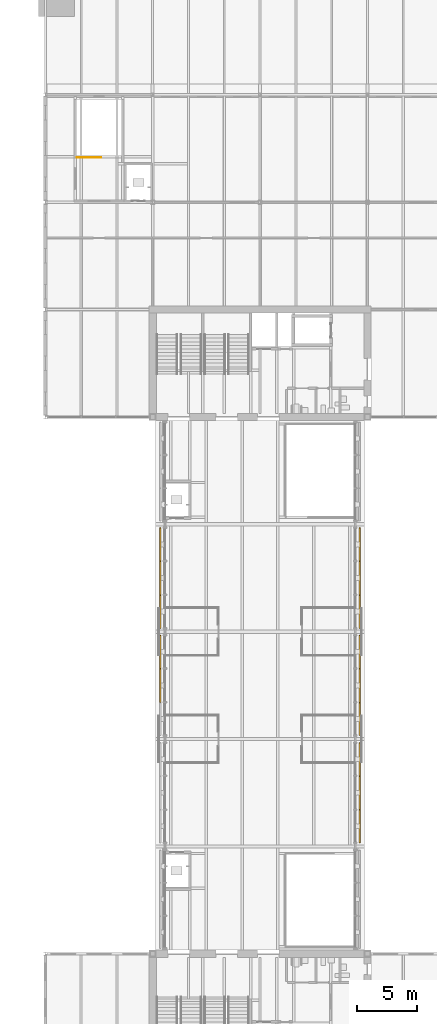
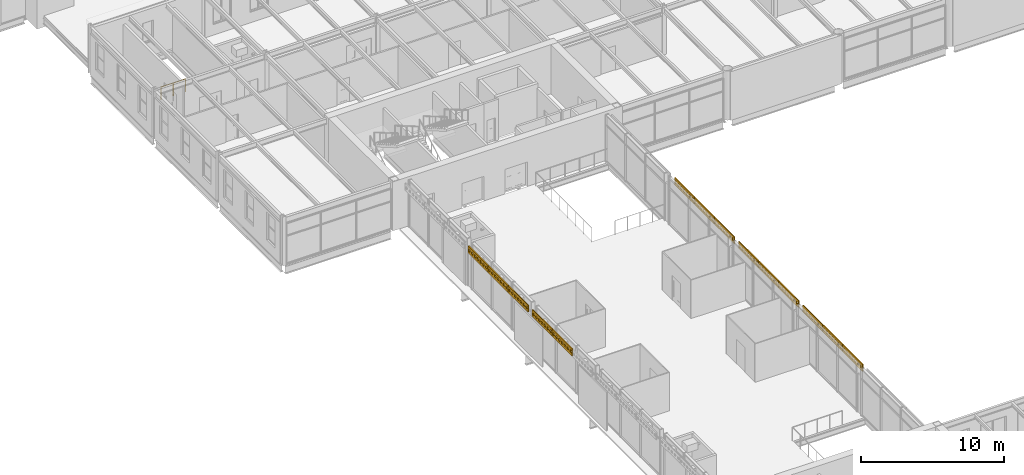
# One storey, part 101 of 123: 14 shading devices, 1 railing.
"""IFC4 building model written with IfcOpenShell, lengths in metres."""

from ifc_helpers import new_model, si_unit, direction, frame, origin, origin_2d, place, context, subcontext, project, spatial, polyline, circle, outline, extrude, material, layer, layer_set, type_object, element, save


model = new_model("IFC4")

# Units and contexts
model_context = context("Model", 3, precision=1e-05, world=origin(), true_north=direction((0.0, 1.0)))
body_context = subcontext(model_context, "Body", "Model", "MODEL_VIEW")
ifc_project = project(units=[si_unit("LENGTHUNIT", "METRE"), si_unit("AREAUNIT", "SQUARE_METRE"), si_unit("VOLUMEUNIT", "CUBIC_METRE"), si_unit("PLANEANGLEUNIT", "RADIAN"), si_unit("MASSUNIT", "GRAM", prefix="KILO")], contexts=[model_context])

# Site, building, storey
site_placement = place(None, origin())
site = spatial("IfcSite", under=ifc_project, at=site_placement, CompositionType="ELEMENT")
building_placement = place(site_placement, origin())
building = spatial("IfcBuilding", under=site, at=building_placement, Name="Baradari Gate Terminus", CompositionType="ELEMENT")
storey_placement = place(building_placement, frame((0.0, 0.0, 7.5)))
storey = spatial("IfcBuildingStorey", under=building, at=storey_placement, Name="L01", CompositionType="ELEMENT", Elevation=7.5)

# Railing
ifc_material_1 = material(Name="Stainless steel 1.4301", Category="steel")
railing_type = type_object("IfcRailingType", Name="Guard GR-1 1100", PredefinedType="GUARDRAIL", material=ifc_material_1)
railing_placement = place(storey_placement, frame((65.64990234375, 102.75, 0.0)))
element("IfcRailing", 1, at=railing_placement, inside=storey, type_object=railing_type, Name="Stair guard ST-H1 at L01 top landing", PredefinedType="GUARDRAIL", context=body_context, shape_type="SweptSolid", body=[
    extrude(circle(Radius=0.02392578125, at=origin_2d()), frame((0.0, 0.0, 1.076171875), z_axis=(1.0, 0.0, 0.0), x_axis=(0.0, 1.0, 0.0)), (0.0, 0.0, 1.0), 2.010009765625),
    extrude(circle(Radius=0.02099609375, at=origin_2d()), origin(), (0.0, 0.0, 1.0), 1.052001953125),
    extrude(circle(Radius=0.02099609375, at=origin_2d()), frame((1.0048828125, 0.0, 0.0)), (0.0, 0.0, 1.0), 1.052001953125),
    extrude(circle(Radius=0.02099609375, at=origin_2d()), frame((2.010009765625, 0.0, 0.0)), (0.0, 0.0, 1.0), 1.052001953125),
])

# Shading devices
ifc_material_2 = material(Name="Concrete C50/60 precast", Category="concrete")
ifc_layer = layer(ifc_material_2, 0.080078125)
ifc_layer_set = layer_set([ifc_layer], Name="Concrete C50/60 precast")
shading_device_type = type_object("IfcShadingDeviceType", Name="Jali screen panel JS-3 80", PredefinedType="SHUTTER", material=ifc_layer_set)
shading_device_1_placement = place(storey_placement, frame((72.6474609375, 57.103271484375, 3.27490234375), z_axis=(0.0, 0.0, 1.0), x_axis=(0.0, 1.0, 0.0)))
element("IfcShadingDevice", 2, at=shading_device_1_placement, inside=storey, type_object=shading_device_type, Name="Jali screen panel JS-1 L01/GW3 bay 2", PredefinedType="SHUTTER", context=body_context, shape_type="SweptSolid", body=[
    extrude(outline(polyline([(0.0, 0.0), (2.79345703125, 0.0), (2.79345703125, 0.60009765625), (0.0, 0.60009765625), (0.0, 0.0)]), holes=[polyline([(0.32958984375, 0.300048828125), (0.264404296875, 0.1875), (0.134521484375, 0.1875), (0.069580078125, 0.300048828125), (0.134521484375, 0.41259765625), (0.264404296875, 0.41259765625), (0.32958984375, 0.300048828125)]), polyline([(0.728515625, 0.300048828125), (0.66357421875, 0.1875), (0.53369140625, 0.1875), (0.468505859375, 0.300048828125), (0.53369140625, 0.41259765625), (0.66357421875, 0.41259765625), (0.728515625, 0.300048828125)]), polyline([(1.127685546875, 0.300048828125), (1.0625, 0.1875), (0.9326171875, 0.1875), (0.86767578125, 0.300048828125), (0.9326171875, 0.41259765625), (1.0625, 0.41259765625), (1.127685546875, 0.300048828125)]), polyline([(1.526611328125, 0.300048828125), (1.461669921875, 0.1875), (1.331787109375, 0.1875), (1.2666015625, 0.300048828125), (1.331787109375, 0.41259765625), (1.461669921875, 0.41259765625), (1.526611328125, 0.300048828125)]), polyline([(1.92578125, 0.300048828125), (1.860595703125, 0.1875), (1.730712890625, 0.1875), (1.665771484375, 0.300048828125), (1.730712890625, 0.41259765625), (1.860595703125, 0.41259765625), (1.92578125, 0.300048828125)]), polyline([(2.32470703125, 0.300048828125), (2.259765625, 0.1875), (2.1298828125, 0.1875), (2.064697265625, 0.300048828125), (2.1298828125, 0.41259765625), (2.259765625, 0.41259765625), (2.32470703125, 0.300048828125)]), polyline([(2.723876953125, 0.300048828125), (2.65869140625, 0.1875), (2.52880859375, 0.1875), (2.4638671875, 0.300048828125), (2.52880859375, 0.41259765625), (2.65869140625, 0.41259765625), (2.723876953125, 0.300048828125)])]), frame((0.0, 0.0400390625, 0.0), z_axis=(0.0, -1.0, 0.0), x_axis=(1.0, 0.0, 0.0)), (0.0, 0.0, 1.0), 0.080078125),
])
shading_device_2_placement = place(storey_placement, frame((72.6474609375, 59.936767578125, 3.27490234375), z_axis=(0.0, 0.0, 1.0), x_axis=(0.0, 1.0, 0.0)))
element("IfcShadingDevice", 3, at=shading_device_2_placement, inside=storey, type_object=shading_device_type, Name="Jali screen panel JS-1 L01/GW3 bay 3", PredefinedType="SHUTTER", context=body_context, shape_type="SweptSolid", body=[
    extrude(outline(polyline([(0.0, 0.0), (2.76318359375, 0.0), (2.76318359375, 0.60009765625), (0.0, 0.60009765625), (0.0, 0.0)]), holes=[polyline([(0.327392578125, 0.300048828125), (0.262451171875, 0.1875), (0.13232421875, 0.1875), (0.0673828125, 0.300048828125), (0.13232421875, 0.41259765625), (0.262451171875, 0.41259765625), (0.327392578125, 0.300048828125)]), polyline([(0.72216796875, 0.300048828125), (0.6572265625, 0.1875), (0.527099609375, 0.1875), (0.462158203125, 0.300048828125), (0.527099609375, 0.41259765625), (0.6572265625, 0.41259765625), (0.72216796875, 0.300048828125)]), polyline([(1.116943359375, 0.300048828125), (1.052001953125, 0.1875), (0.921875, 0.1875), (0.85693359375, 0.300048828125), (0.921875, 0.41259765625), (1.052001953125, 0.41259765625), (1.116943359375, 0.300048828125)]), polyline([(1.51171875, 0.300048828125), (1.44677734375, 0.1875), (1.316650390625, 0.1875), (1.251708984375, 0.300048828125), (1.316650390625, 0.41259765625), (1.44677734375, 0.41259765625), (1.51171875, 0.300048828125)]), polyline([(1.906494140625, 0.300048828125), (1.84130859375, 0.1875), (1.71142578125, 0.1875), (1.646484375, 0.300048828125), (1.71142578125, 0.41259765625), (1.84130859375, 0.41259765625), (1.906494140625, 0.300048828125)]), polyline([(2.30126953125, 0.300048828125), (2.236083984375, 0.1875), (2.106201171875, 0.1875), (2.041259765625, 0.300048828125), (2.106201171875, 0.41259765625), (2.236083984375, 0.41259765625), (2.30126953125, 0.300048828125)]), polyline([(2.696044921875, 0.300048828125), (2.630859375, 0.1875), (2.5009765625, 0.1875), (2.43603515625, 0.300048828125), (2.5009765625, 0.41259765625), (2.630859375, 0.41259765625), (2.696044921875, 0.300048828125)])]), frame((0.0, 0.0400390625, 0.0), z_axis=(0.0, -1.0, 0.0), x_axis=(1.0, 0.0, 0.0)), (0.0, 0.0, 1.0), 0.080078125),
])
shading_device_3_placement = place(storey_placement, frame((72.6474609375, 63.300048828125, 3.27490234375), z_axis=(0.0, 0.0, 1.0), x_axis=(0.0, 1.0, 0.0)))
element("IfcShadingDevice", 4, at=shading_device_3_placement, inside=storey, type_object=shading_device_type, Name="Jali screen panel JS-1 L01/GW4 bay 1", PredefinedType="SHUTTER", context=body_context, shape_type="SweptSolid", body=[
    extrude(outline(polyline([(0.0, 0.0), (2.76318359375, 0.0), (2.76318359375, 0.60009765625), (0.0, 0.60009765625), (0.0, 0.0)]), holes=[polyline([(0.327392578125, 0.300048828125), (0.262451171875, 0.1875), (0.13232421875, 0.1875), (0.0673828125, 0.300048828125), (0.13232421875, 0.41259765625), (0.262451171875, 0.41259765625), (0.327392578125, 0.300048828125)]), polyline([(0.72216796875, 0.300048828125), (0.6572265625, 0.1875), (0.527099609375, 0.1875), (0.462158203125, 0.300048828125), (0.527099609375, 0.41259765625), (0.6572265625, 0.41259765625), (0.72216796875, 0.300048828125)]), polyline([(1.116943359375, 0.300048828125), (1.052001953125, 0.1875), (0.921875, 0.1875), (0.85693359375, 0.300048828125), (0.921875, 0.41259765625), (1.052001953125, 0.41259765625), (1.116943359375, 0.300048828125)]), polyline([(1.51171875, 0.300048828125), (1.44677734375, 0.1875), (1.316650390625, 0.1875), (1.251708984375, 0.300048828125), (1.316650390625, 0.41259765625), (1.44677734375, 0.41259765625), (1.51171875, 0.300048828125)]), polyline([(1.906494140625, 0.300048828125), (1.84130859375, 0.1875), (1.71142578125, 0.1875), (1.646484375, 0.300048828125), (1.71142578125, 0.41259765625), (1.84130859375, 0.41259765625), (1.906494140625, 0.300048828125)]), polyline([(2.30126953125, 0.300048828125), (2.236083984375, 0.1875), (2.106201171875, 0.1875), (2.041259765625, 0.300048828125), (2.106201171875, 0.41259765625), (2.236083984375, 0.41259765625), (2.30126953125, 0.300048828125)]), polyline([(2.696044921875, 0.300048828125), (2.630859375, 0.1875), (2.5009765625, 0.1875), (2.43603515625, 0.300048828125), (2.5009765625, 0.41259765625), (2.630859375, 0.41259765625), (2.696044921875, 0.300048828125)])]), frame((0.0, 0.0400390625, 0.0), z_axis=(0.0, -1.0, 0.0), x_axis=(1.0, 0.0, 0.0)), (0.0, 0.0, 1.0), 0.080078125),
])
shading_device_4_placement = place(storey_placement, frame((72.6474609375, 66.103271484375, 3.27490234375), z_axis=(0.0, 0.0, 1.0), x_axis=(0.0, 1.0, 0.0)))
element("IfcShadingDevice", 5, at=shading_device_4_placement, inside=storey, type_object=shading_device_type, Name="Jali screen panel JS-1 L01/GW4 bay 2", PredefinedType="SHUTTER", context=body_context, shape_type="SweptSolid", body=[
    extrude(outline(polyline([(0.0, 0.0), (2.79345703125, 0.0), (2.79345703125, 0.60009765625), (0.0, 0.60009765625), (0.0, 0.0)]), holes=[polyline([(0.32958984375, 0.300048828125), (0.264404296875, 0.1875), (0.134521484375, 0.1875), (0.069580078125, 0.300048828125), (0.134521484375, 0.41259765625), (0.264404296875, 0.41259765625), (0.32958984375, 0.300048828125)]), polyline([(0.728515625, 0.300048828125), (0.66357421875, 0.1875), (0.53369140625, 0.1875), (0.468505859375, 0.300048828125), (0.53369140625, 0.41259765625), (0.66357421875, 0.41259765625), (0.728515625, 0.300048828125)]), polyline([(1.127685546875, 0.300048828125), (1.0625, 0.1875), (0.9326171875, 0.1875), (0.86767578125, 0.300048828125), (0.9326171875, 0.41259765625), (1.0625, 0.41259765625), (1.127685546875, 0.300048828125)]), polyline([(1.526611328125, 0.300048828125), (1.461669921875, 0.1875), (1.331787109375, 0.1875), (1.2666015625, 0.300048828125), (1.331787109375, 0.41259765625), (1.461669921875, 0.41259765625), (1.526611328125, 0.300048828125)]), polyline([(1.92578125, 0.300048828125), (1.860595703125, 0.1875), (1.730712890625, 0.1875), (1.665771484375, 0.300048828125), (1.730712890625, 0.41259765625), (1.860595703125, 0.41259765625), (1.92578125, 0.300048828125)]), polyline([(2.32470703125, 0.300048828125), (2.259765625, 0.1875), (2.1298828125, 0.1875), (2.064697265625, 0.300048828125), (2.1298828125, 0.41259765625), (2.259765625, 0.41259765625), (2.32470703125, 0.300048828125)]), polyline([(2.723876953125, 0.300048828125), (2.65869140625, 0.1875), (2.52880859375, 0.1875), (2.4638671875, 0.300048828125), (2.52880859375, 0.41259765625), (2.65869140625, 0.41259765625), (2.723876953125, 0.300048828125)])]), frame((0.0, 0.0400390625, 0.0), z_axis=(0.0, -1.0, 0.0), x_axis=(1.0, 0.0, 0.0)), (0.0, 0.0, 1.0), 0.080078125),
])
shading_device_5_placement = place(storey_placement, frame((72.6474609375, 68.936767578125, 3.27490234375), z_axis=(0.0, 0.0, 1.0), x_axis=(0.0, 1.0, 0.0)))
element("IfcShadingDevice", 6, at=shading_device_5_placement, inside=storey, type_object=shading_device_type, Name="Jali screen panel JS-1 L01/GW4 bay 3", PredefinedType="SHUTTER", context=body_context, shape_type="SweptSolid", body=[
    extrude(outline(polyline([(0.0, 0.0), (2.76318359375, 0.0), (2.76318359375, 0.60009765625), (0.0, 0.60009765625), (0.0, 0.0)]), holes=[polyline([(0.327392578125, 0.300048828125), (0.262451171875, 0.1875), (0.13232421875, 0.1875), (0.0673828125, 0.300048828125), (0.13232421875, 0.41259765625), (0.262451171875, 0.41259765625), (0.327392578125, 0.300048828125)]), polyline([(0.72216796875, 0.300048828125), (0.6572265625, 0.1875), (0.527099609375, 0.1875), (0.462158203125, 0.300048828125), (0.527099609375, 0.41259765625), (0.6572265625, 0.41259765625), (0.72216796875, 0.300048828125)]), polyline([(1.116943359375, 0.300048828125), (1.052001953125, 0.1875), (0.921875, 0.1875), (0.85693359375, 0.300048828125), (0.921875, 0.41259765625), (1.052001953125, 0.41259765625), (1.116943359375, 0.300048828125)]), polyline([(1.51171875, 0.300048828125), (1.44677734375, 0.1875), (1.316650390625, 0.1875), (1.251708984375, 0.300048828125), (1.316650390625, 0.41259765625), (1.44677734375, 0.41259765625), (1.51171875, 0.300048828125)]), polyline([(1.906494140625, 0.300048828125), (1.84130859375, 0.1875), (1.71142578125, 0.1875), (1.646484375, 0.300048828125), (1.71142578125, 0.41259765625), (1.84130859375, 0.41259765625), (1.906494140625, 0.300048828125)]), polyline([(2.30126953125, 0.300048828125), (2.236083984375, 0.1875), (2.106201171875, 0.1875), (2.041259765625, 0.300048828125), (2.106201171875, 0.41259765625), (2.236083984375, 0.41259765625), (2.30126953125, 0.300048828125)]), polyline([(2.696044921875, 0.300048828125), (2.630859375, 0.1875), (2.5009765625, 0.1875), (2.43603515625, 0.300048828125), (2.5009765625, 0.41259765625), (2.630859375, 0.41259765625), (2.696044921875, 0.300048828125)])]), frame((0.0, 0.0400390625, 0.0), z_axis=(0.0, -1.0, 0.0), x_axis=(1.0, 0.0, 0.0)), (0.0, 0.0, 1.0), 0.080078125),
])
shading_device_6_placement = place(storey_placement, frame((89.3525390625, 45.300048828125, 3.27490234375), z_axis=(0.0, 0.0, 1.0), x_axis=(0.0, 1.0, 0.0)))
element("IfcShadingDevice", 7, at=shading_device_6_placement, inside=storey, type_object=shading_device_type, Name="Jali screen panel JS-1 L01/GE2 bay 1", PredefinedType="SHUTTER", context=body_context, shape_type="SweptSolid", body=[
    extrude(outline(polyline([(0.0, 0.0), (2.76318359375, 0.0), (2.76318359375, 0.60009765625), (0.0, 0.60009765625), (0.0, 0.0)]), holes=[polyline([(0.327392578125, 0.300048828125), (0.262451171875, 0.1875), (0.13232421875, 0.1875), (0.0673828125, 0.300048828125), (0.13232421875, 0.41259765625), (0.262451171875, 0.41259765625), (0.327392578125, 0.300048828125)]), polyline([(0.72216796875, 0.300048828125), (0.6572265625, 0.1875), (0.527099609375, 0.1875), (0.462158203125, 0.300048828125), (0.527099609375, 0.41259765625), (0.6572265625, 0.41259765625), (0.72216796875, 0.300048828125)]), polyline([(1.116943359375, 0.300048828125), (1.052001953125, 0.1875), (0.921875, 0.1875), (0.85693359375, 0.300048828125), (0.921875, 0.41259765625), (1.052001953125, 0.41259765625), (1.116943359375, 0.300048828125)]), polyline([(1.51171875, 0.300048828125), (1.44677734375, 0.1875), (1.316650390625, 0.1875), (1.251708984375, 0.300048828125), (1.316650390625, 0.41259765625), (1.44677734375, 0.41259765625), (1.51171875, 0.300048828125)]), polyline([(1.906494140625, 0.300048828125), (1.84130859375, 0.1875), (1.71142578125, 0.1875), (1.646484375, 0.300048828125), (1.71142578125, 0.41259765625), (1.84130859375, 0.41259765625), (1.906494140625, 0.300048828125)]), polyline([(2.30126953125, 0.300048828125), (2.236083984375, 0.1875), (2.106201171875, 0.1875), (2.041259765625, 0.300048828125), (2.106201171875, 0.41259765625), (2.236083984375, 0.41259765625), (2.30126953125, 0.300048828125)]), polyline([(2.696044921875, 0.300048828125), (2.630859375, 0.1875), (2.5009765625, 0.1875), (2.43603515625, 0.300048828125), (2.5009765625, 0.41259765625), (2.630859375, 0.41259765625), (2.696044921875, 0.300048828125)])]), frame((0.0, 0.0400390625, 0.0), z_axis=(0.0, -1.0, 0.0), x_axis=(1.0, 0.0, 0.0)), (0.0, 0.0, 1.0), 0.080078125),
])
shading_device_7_placement = place(storey_placement, frame((89.3525390625, 48.103271484375, 3.27490234375), z_axis=(0.0, 0.0, 1.0), x_axis=(0.0, 1.0, 0.0)))
element("IfcShadingDevice", 8, at=shading_device_7_placement, inside=storey, type_object=shading_device_type, Name="Jali screen panel JS-1 L01/GE2 bay 2", PredefinedType="SHUTTER", context=body_context, shape_type="SweptSolid", body=[
    extrude(outline(polyline([(0.0, 0.0), (2.79345703125, 0.0), (2.79345703125, 0.60009765625), (0.0, 0.60009765625), (0.0, 0.0)]), holes=[polyline([(0.32958984375, 0.300048828125), (0.264404296875, 0.1875), (0.134521484375, 0.1875), (0.069580078125, 0.300048828125), (0.134521484375, 0.41259765625), (0.264404296875, 0.41259765625), (0.32958984375, 0.300048828125)]), polyline([(0.728515625, 0.300048828125), (0.66357421875, 0.1875), (0.53369140625, 0.1875), (0.468505859375, 0.300048828125), (0.53369140625, 0.41259765625), (0.66357421875, 0.41259765625), (0.728515625, 0.300048828125)]), polyline([(1.127685546875, 0.300048828125), (1.0625, 0.1875), (0.9326171875, 0.1875), (0.86767578125, 0.300048828125), (0.9326171875, 0.41259765625), (1.0625, 0.41259765625), (1.127685546875, 0.300048828125)]), polyline([(1.526611328125, 0.300048828125), (1.461669921875, 0.1875), (1.331787109375, 0.1875), (1.2666015625, 0.300048828125), (1.331787109375, 0.41259765625), (1.461669921875, 0.41259765625), (1.526611328125, 0.300048828125)]), polyline([(1.92578125, 0.300048828125), (1.860595703125, 0.1875), (1.730712890625, 0.1875), (1.665771484375, 0.300048828125), (1.730712890625, 0.41259765625), (1.860595703125, 0.41259765625), (1.92578125, 0.300048828125)]), polyline([(2.32470703125, 0.300048828125), (2.259765625, 0.1875), (2.1298828125, 0.1875), (2.064697265625, 0.300048828125), (2.1298828125, 0.41259765625), (2.259765625, 0.41259765625), (2.32470703125, 0.300048828125)]), polyline([(2.723876953125, 0.300048828125), (2.65869140625, 0.1875), (2.52880859375, 0.1875), (2.4638671875, 0.300048828125), (2.52880859375, 0.41259765625), (2.65869140625, 0.41259765625), (2.723876953125, 0.300048828125)])]), frame((0.0, 0.0400390625, 0.0), z_axis=(0.0, -1.0, 0.0), x_axis=(1.0, 0.0, 0.0)), (0.0, 0.0, 1.0), 0.080078125),
])
shading_device_8_placement = place(storey_placement, frame((89.3525390625, 50.936767578125, 3.27490234375), z_axis=(0.0, 0.0, 1.0), x_axis=(0.0, 1.0, 0.0)))
element("IfcShadingDevice", 9, at=shading_device_8_placement, inside=storey, type_object=shading_device_type, Name="Jali screen panel JS-1 L01/GE2 bay 3", PredefinedType="SHUTTER", context=body_context, shape_type="SweptSolid", body=[
    extrude(outline(polyline([(0.0, 0.0), (2.76318359375, 0.0), (2.76318359375, 0.60009765625), (0.0, 0.60009765625), (0.0, 0.0)]), holes=[polyline([(0.327392578125, 0.300048828125), (0.262451171875, 0.1875), (0.13232421875, 0.1875), (0.0673828125, 0.300048828125), (0.13232421875, 0.41259765625), (0.262451171875, 0.41259765625), (0.327392578125, 0.300048828125)]), polyline([(0.72216796875, 0.300048828125), (0.6572265625, 0.1875), (0.527099609375, 0.1875), (0.462158203125, 0.300048828125), (0.527099609375, 0.41259765625), (0.6572265625, 0.41259765625), (0.72216796875, 0.300048828125)]), polyline([(1.116943359375, 0.300048828125), (1.052001953125, 0.1875), (0.921875, 0.1875), (0.85693359375, 0.300048828125), (0.921875, 0.41259765625), (1.052001953125, 0.41259765625), (1.116943359375, 0.300048828125)]), polyline([(1.51171875, 0.300048828125), (1.44677734375, 0.1875), (1.316650390625, 0.1875), (1.251708984375, 0.300048828125), (1.316650390625, 0.41259765625), (1.44677734375, 0.41259765625), (1.51171875, 0.300048828125)]), polyline([(1.906494140625, 0.300048828125), (1.84130859375, 0.1875), (1.71142578125, 0.1875), (1.646484375, 0.300048828125), (1.71142578125, 0.41259765625), (1.84130859375, 0.41259765625), (1.906494140625, 0.300048828125)]), polyline([(2.30126953125, 0.300048828125), (2.236083984375, 0.1875), (2.106201171875, 0.1875), (2.041259765625, 0.300048828125), (2.106201171875, 0.41259765625), (2.236083984375, 0.41259765625), (2.30126953125, 0.300048828125)]), polyline([(2.696044921875, 0.300048828125), (2.630859375, 0.1875), (2.5009765625, 0.1875), (2.43603515625, 0.300048828125), (2.5009765625, 0.41259765625), (2.630859375, 0.41259765625), (2.696044921875, 0.300048828125)])]), frame((0.0, 0.0400390625, 0.0), z_axis=(0.0, -1.0, 0.0), x_axis=(1.0, 0.0, 0.0)), (0.0, 0.0, 1.0), 0.080078125),
])
shading_device_9_placement = place(storey_placement, frame((89.3525390625, 54.300048828125, 3.27490234375), z_axis=(0.0, 0.0, 1.0), x_axis=(0.0, 1.0, 0.0)))
element("IfcShadingDevice", 10, at=shading_device_9_placement, inside=storey, type_object=shading_device_type, Name="Jali screen panel JS-1 L01/GE3 bay 1", PredefinedType="SHUTTER", context=body_context, shape_type="SweptSolid", body=[
    extrude(outline(polyline([(0.0, 0.0), (2.76318359375, 0.0), (2.76318359375, 0.60009765625), (0.0, 0.60009765625), (0.0, 0.0)]), holes=[polyline([(0.327392578125, 0.300048828125), (0.262451171875, 0.1875), (0.13232421875, 0.1875), (0.0673828125, 0.300048828125), (0.13232421875, 0.41259765625), (0.262451171875, 0.41259765625), (0.327392578125, 0.300048828125)]), polyline([(0.72216796875, 0.300048828125), (0.6572265625, 0.1875), (0.527099609375, 0.1875), (0.462158203125, 0.300048828125), (0.527099609375, 0.41259765625), (0.6572265625, 0.41259765625), (0.72216796875, 0.300048828125)]), polyline([(1.116943359375, 0.300048828125), (1.052001953125, 0.1875), (0.921875, 0.1875), (0.85693359375, 0.300048828125), (0.921875, 0.41259765625), (1.052001953125, 0.41259765625), (1.116943359375, 0.300048828125)]), polyline([(1.51171875, 0.300048828125), (1.44677734375, 0.1875), (1.316650390625, 0.1875), (1.251708984375, 0.300048828125), (1.316650390625, 0.41259765625), (1.44677734375, 0.41259765625), (1.51171875, 0.300048828125)]), polyline([(1.906494140625, 0.300048828125), (1.84130859375, 0.1875), (1.71142578125, 0.1875), (1.646484375, 0.300048828125), (1.71142578125, 0.41259765625), (1.84130859375, 0.41259765625), (1.906494140625, 0.300048828125)]), polyline([(2.30126953125, 0.300048828125), (2.236083984375, 0.1875), (2.106201171875, 0.1875), (2.041259765625, 0.300048828125), (2.106201171875, 0.41259765625), (2.236083984375, 0.41259765625), (2.30126953125, 0.300048828125)]), polyline([(2.696044921875, 0.300048828125), (2.630859375, 0.1875), (2.5009765625, 0.1875), (2.43603515625, 0.300048828125), (2.5009765625, 0.41259765625), (2.630859375, 0.41259765625), (2.696044921875, 0.300048828125)])]), frame((0.0, 0.0400390625, 0.0), z_axis=(0.0, -1.0, 0.0), x_axis=(1.0, 0.0, 0.0)), (0.0, 0.0, 1.0), 0.080078125),
])
shading_device_10_placement = place(storey_placement, frame((89.3525390625, 57.103271484375, 3.27490234375), z_axis=(0.0, 0.0, 1.0), x_axis=(0.0, 1.0, 0.0)))
element("IfcShadingDevice", 11, at=shading_device_10_placement, inside=storey, type_object=shading_device_type, Name="Jali screen panel JS-1 L01/GE3 bay 2", PredefinedType="SHUTTER", context=body_context, shape_type="SweptSolid", body=[
    extrude(outline(polyline([(0.0, 0.0), (2.79345703125, 0.0), (2.79345703125, 0.60009765625), (0.0, 0.60009765625), (0.0, 0.0)]), holes=[polyline([(0.32958984375, 0.300048828125), (0.264404296875, 0.1875), (0.134521484375, 0.1875), (0.069580078125, 0.300048828125), (0.134521484375, 0.41259765625), (0.264404296875, 0.41259765625), (0.32958984375, 0.300048828125)]), polyline([(0.728515625, 0.300048828125), (0.66357421875, 0.1875), (0.53369140625, 0.1875), (0.468505859375, 0.300048828125), (0.53369140625, 0.41259765625), (0.66357421875, 0.41259765625), (0.728515625, 0.300048828125)]), polyline([(1.127685546875, 0.300048828125), (1.0625, 0.1875), (0.9326171875, 0.1875), (0.86767578125, 0.300048828125), (0.9326171875, 0.41259765625), (1.0625, 0.41259765625), (1.127685546875, 0.300048828125)]), polyline([(1.526611328125, 0.300048828125), (1.461669921875, 0.1875), (1.331787109375, 0.1875), (1.2666015625, 0.300048828125), (1.331787109375, 0.41259765625), (1.461669921875, 0.41259765625), (1.526611328125, 0.300048828125)]), polyline([(1.92578125, 0.300048828125), (1.860595703125, 0.1875), (1.730712890625, 0.1875), (1.665771484375, 0.300048828125), (1.730712890625, 0.41259765625), (1.860595703125, 0.41259765625), (1.92578125, 0.300048828125)]), polyline([(2.32470703125, 0.300048828125), (2.259765625, 0.1875), (2.1298828125, 0.1875), (2.064697265625, 0.300048828125), (2.1298828125, 0.41259765625), (2.259765625, 0.41259765625), (2.32470703125, 0.300048828125)]), polyline([(2.723876953125, 0.300048828125), (2.65869140625, 0.1875), (2.52880859375, 0.1875), (2.4638671875, 0.300048828125), (2.52880859375, 0.41259765625), (2.65869140625, 0.41259765625), (2.723876953125, 0.300048828125)])]), frame((0.0, 0.0400390625, 0.0), z_axis=(0.0, -1.0, 0.0), x_axis=(1.0, 0.0, 0.0)), (0.0, 0.0, 1.0), 0.080078125),
])
shading_device_11_placement = place(storey_placement, frame((89.3525390625, 59.936767578125, 3.27490234375), z_axis=(0.0, 0.0, 1.0), x_axis=(0.0, 1.0, 0.0)))
element("IfcShadingDevice", 12, at=shading_device_11_placement, inside=storey, type_object=shading_device_type, Name="Jali screen panel JS-1 L01/GE3 bay 3", PredefinedType="SHUTTER", context=body_context, shape_type="SweptSolid", body=[
    extrude(outline(polyline([(0.0, 0.0), (2.76318359375, 0.0), (2.76318359375, 0.60009765625), (0.0, 0.60009765625), (0.0, 0.0)]), holes=[polyline([(0.327392578125, 0.300048828125), (0.262451171875, 0.1875), (0.13232421875, 0.1875), (0.0673828125, 0.300048828125), (0.13232421875, 0.41259765625), (0.262451171875, 0.41259765625), (0.327392578125, 0.300048828125)]), polyline([(0.72216796875, 0.300048828125), (0.6572265625, 0.1875), (0.527099609375, 0.1875), (0.462158203125, 0.300048828125), (0.527099609375, 0.41259765625), (0.6572265625, 0.41259765625), (0.72216796875, 0.300048828125)]), polyline([(1.116943359375, 0.300048828125), (1.052001953125, 0.1875), (0.921875, 0.1875), (0.85693359375, 0.300048828125), (0.921875, 0.41259765625), (1.052001953125, 0.41259765625), (1.116943359375, 0.300048828125)]), polyline([(1.51171875, 0.300048828125), (1.44677734375, 0.1875), (1.316650390625, 0.1875), (1.251708984375, 0.300048828125), (1.316650390625, 0.41259765625), (1.44677734375, 0.41259765625), (1.51171875, 0.300048828125)]), polyline([(1.906494140625, 0.300048828125), (1.84130859375, 0.1875), (1.71142578125, 0.1875), (1.646484375, 0.300048828125), (1.71142578125, 0.41259765625), (1.84130859375, 0.41259765625), (1.906494140625, 0.300048828125)]), polyline([(2.30126953125, 0.300048828125), (2.236083984375, 0.1875), (2.106201171875, 0.1875), (2.041259765625, 0.300048828125), (2.106201171875, 0.41259765625), (2.236083984375, 0.41259765625), (2.30126953125, 0.300048828125)]), polyline([(2.696044921875, 0.300048828125), (2.630859375, 0.1875), (2.5009765625, 0.1875), (2.43603515625, 0.300048828125), (2.5009765625, 0.41259765625), (2.630859375, 0.41259765625), (2.696044921875, 0.300048828125)])]), frame((0.0, 0.0400390625, 0.0), z_axis=(0.0, -1.0, 0.0), x_axis=(1.0, 0.0, 0.0)), (0.0, 0.0, 1.0), 0.080078125),
])
shading_device_12_placement = place(storey_placement, frame((89.3525390625, 63.300048828125, 3.27490234375), z_axis=(0.0, 0.0, 1.0), x_axis=(0.0, 1.0, 0.0)))
element("IfcShadingDevice", 13, at=shading_device_12_placement, inside=storey, type_object=shading_device_type, Name="Jali screen panel JS-1 L01/GE4 bay 1", PredefinedType="SHUTTER", context=body_context, shape_type="SweptSolid", body=[
    extrude(outline(polyline([(0.0, 0.0), (2.76318359375, 0.0), (2.76318359375, 0.60009765625), (0.0, 0.60009765625), (0.0, 0.0)]), holes=[polyline([(0.327392578125, 0.300048828125), (0.262451171875, 0.1875), (0.13232421875, 0.1875), (0.0673828125, 0.300048828125), (0.13232421875, 0.41259765625), (0.262451171875, 0.41259765625), (0.327392578125, 0.300048828125)]), polyline([(0.72216796875, 0.300048828125), (0.6572265625, 0.1875), (0.527099609375, 0.1875), (0.462158203125, 0.300048828125), (0.527099609375, 0.41259765625), (0.6572265625, 0.41259765625), (0.72216796875, 0.300048828125)]), polyline([(1.116943359375, 0.300048828125), (1.052001953125, 0.1875), (0.921875, 0.1875), (0.85693359375, 0.300048828125), (0.921875, 0.41259765625), (1.052001953125, 0.41259765625), (1.116943359375, 0.300048828125)]), polyline([(1.51171875, 0.300048828125), (1.44677734375, 0.1875), (1.316650390625, 0.1875), (1.251708984375, 0.300048828125), (1.316650390625, 0.41259765625), (1.44677734375, 0.41259765625), (1.51171875, 0.300048828125)]), polyline([(1.906494140625, 0.300048828125), (1.84130859375, 0.1875), (1.71142578125, 0.1875), (1.646484375, 0.300048828125), (1.71142578125, 0.41259765625), (1.84130859375, 0.41259765625), (1.906494140625, 0.300048828125)]), polyline([(2.30126953125, 0.300048828125), (2.236083984375, 0.1875), (2.106201171875, 0.1875), (2.041259765625, 0.300048828125), (2.106201171875, 0.41259765625), (2.236083984375, 0.41259765625), (2.30126953125, 0.300048828125)]), polyline([(2.696044921875, 0.300048828125), (2.630859375, 0.1875), (2.5009765625, 0.1875), (2.43603515625, 0.300048828125), (2.5009765625, 0.41259765625), (2.630859375, 0.41259765625), (2.696044921875, 0.300048828125)])]), frame((0.0, 0.0400390625, 0.0), z_axis=(0.0, -1.0, 0.0), x_axis=(1.0, 0.0, 0.0)), (0.0, 0.0, 1.0), 0.080078125),
])
shading_device_13_placement = place(storey_placement, frame((89.3525390625, 66.103271484375, 3.27490234375), z_axis=(0.0, 0.0, 1.0), x_axis=(0.0, 1.0, 0.0)))
element("IfcShadingDevice", 14, at=shading_device_13_placement, inside=storey, type_object=shading_device_type, Name="Jali screen panel JS-1 L01/GE4 bay 2", PredefinedType="SHUTTER", context=body_context, shape_type="SweptSolid", body=[
    extrude(outline(polyline([(0.0, 0.0), (2.79345703125, 0.0), (2.79345703125, 0.60009765625), (0.0, 0.60009765625), (0.0, 0.0)]), holes=[polyline([(0.32958984375, 0.300048828125), (0.264404296875, 0.1875), (0.134521484375, 0.1875), (0.069580078125, 0.300048828125), (0.134521484375, 0.41259765625), (0.264404296875, 0.41259765625), (0.32958984375, 0.300048828125)]), polyline([(0.728515625, 0.300048828125), (0.66357421875, 0.1875), (0.53369140625, 0.1875), (0.468505859375, 0.300048828125), (0.53369140625, 0.41259765625), (0.66357421875, 0.41259765625), (0.728515625, 0.300048828125)]), polyline([(1.127685546875, 0.300048828125), (1.0625, 0.1875), (0.9326171875, 0.1875), (0.86767578125, 0.300048828125), (0.9326171875, 0.41259765625), (1.0625, 0.41259765625), (1.127685546875, 0.300048828125)]), polyline([(1.526611328125, 0.300048828125), (1.461669921875, 0.1875), (1.331787109375, 0.1875), (1.2666015625, 0.300048828125), (1.331787109375, 0.41259765625), (1.461669921875, 0.41259765625), (1.526611328125, 0.300048828125)]), polyline([(1.92578125, 0.300048828125), (1.860595703125, 0.1875), (1.730712890625, 0.1875), (1.665771484375, 0.300048828125), (1.730712890625, 0.41259765625), (1.860595703125, 0.41259765625), (1.92578125, 0.300048828125)]), polyline([(2.32470703125, 0.300048828125), (2.259765625, 0.1875), (2.1298828125, 0.1875), (2.064697265625, 0.300048828125), (2.1298828125, 0.41259765625), (2.259765625, 0.41259765625), (2.32470703125, 0.300048828125)]), polyline([(2.723876953125, 0.300048828125), (2.65869140625, 0.1875), (2.52880859375, 0.1875), (2.4638671875, 0.300048828125), (2.52880859375, 0.41259765625), (2.65869140625, 0.41259765625), (2.723876953125, 0.300048828125)])]), frame((0.0, 0.0400390625, 0.0), z_axis=(0.0, -1.0, 0.0), x_axis=(1.0, 0.0, 0.0)), (0.0, 0.0, 1.0), 0.080078125),
])
shading_device_14_placement = place(storey_placement, frame((89.3525390625, 68.936767578125, 3.27490234375), z_axis=(0.0, 0.0, 1.0), x_axis=(0.0, 1.0, 0.0)))
element("IfcShadingDevice", 15, at=shading_device_14_placement, inside=storey, type_object=shading_device_type, Name="Jali screen panel JS-1 L01/GE4 bay 3", PredefinedType="SHUTTER", context=body_context, shape_type="SweptSolid", body=[
    extrude(outline(polyline([(0.0, 0.0), (2.76318359375, 0.0), (2.76318359375, 0.60009765625), (0.0, 0.60009765625), (0.0, 0.0)]), holes=[polyline([(0.327392578125, 0.300048828125), (0.262451171875, 0.1875), (0.13232421875, 0.1875), (0.0673828125, 0.300048828125), (0.13232421875, 0.41259765625), (0.262451171875, 0.41259765625), (0.327392578125, 0.300048828125)]), polyline([(0.72216796875, 0.300048828125), (0.6572265625, 0.1875), (0.527099609375, 0.1875), (0.462158203125, 0.300048828125), (0.527099609375, 0.41259765625), (0.6572265625, 0.41259765625), (0.72216796875, 0.300048828125)]), polyline([(1.116943359375, 0.300048828125), (1.052001953125, 0.1875), (0.921875, 0.1875), (0.85693359375, 0.300048828125), (0.921875, 0.41259765625), (1.052001953125, 0.41259765625), (1.116943359375, 0.300048828125)]), polyline([(1.51171875, 0.300048828125), (1.44677734375, 0.1875), (1.316650390625, 0.1875), (1.251708984375, 0.300048828125), (1.316650390625, 0.41259765625), (1.44677734375, 0.41259765625), (1.51171875, 0.300048828125)]), polyline([(1.906494140625, 0.300048828125), (1.84130859375, 0.1875), (1.71142578125, 0.1875), (1.646484375, 0.300048828125), (1.71142578125, 0.41259765625), (1.84130859375, 0.41259765625), (1.906494140625, 0.300048828125)]), polyline([(2.30126953125, 0.300048828125), (2.236083984375, 0.1875), (2.106201171875, 0.1875), (2.041259765625, 0.300048828125), (2.106201171875, 0.41259765625), (2.236083984375, 0.41259765625), (2.30126953125, 0.300048828125)]), polyline([(2.696044921875, 0.300048828125), (2.630859375, 0.1875), (2.5009765625, 0.1875), (2.43603515625, 0.300048828125), (2.5009765625, 0.41259765625), (2.630859375, 0.41259765625), (2.696044921875, 0.300048828125)])]), frame((0.0, 0.0400390625, 0.0), z_axis=(0.0, -1.0, 0.0), x_axis=(1.0, 0.0, 0.0)), (0.0, 0.0, 1.0), 0.080078125),
])

save(model, "model.ifc")
